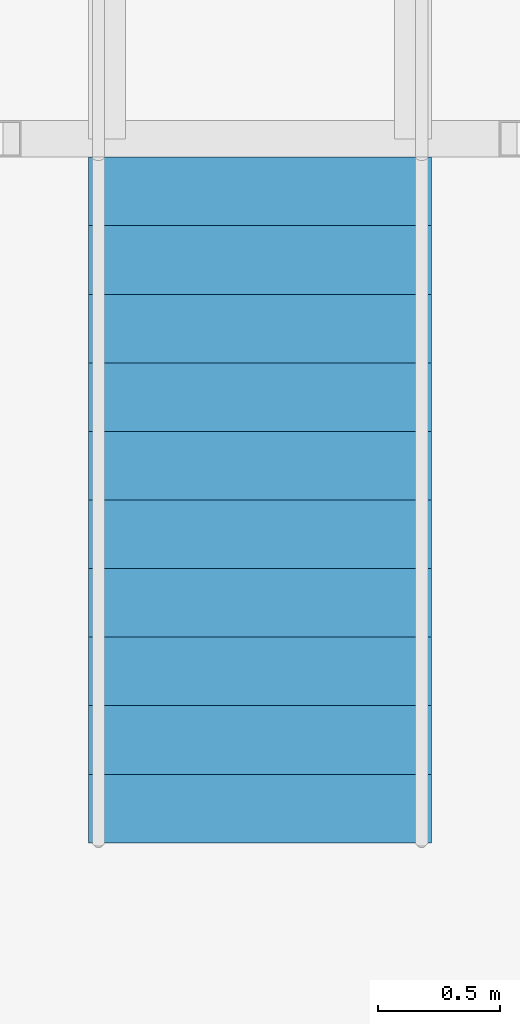
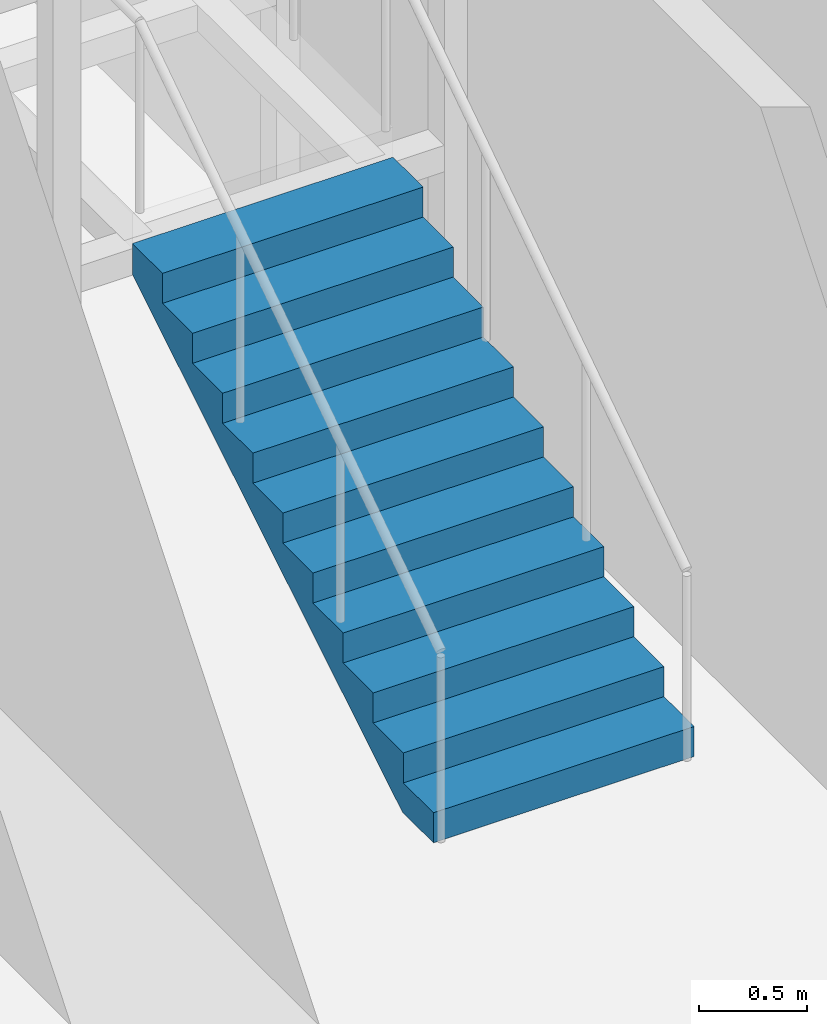
# One storey, part 25 of 29: 1 stair flight, 1 element without a shape of its own.
"""IFC4 building model written with IfcOpenShell, lengths in metres."""

from ifc_helpers import new_model, si_unit, direction, frame, origin, place, context, subcontext, project, spatial, triangles, material, type_object, element, aggregate, save


model = new_model("IFC4")

# Units and contexts
model_context = context("Model", 3, precision=1e-05, world=origin(), true_north=direction((0.0, 1.0)))
body_context = subcontext(model_context, "Body", "Model", "MODEL_VIEW")
ifc_project = project(units=[si_unit("LENGTHUNIT", "METRE"), si_unit("AREAUNIT", "SQUARE_METRE"), si_unit("VOLUMEUNIT", "CUBIC_METRE"), si_unit("PLANEANGLEUNIT", "RADIAN"), si_unit("MASSUNIT", "GRAM", prefix="KILO")], contexts=[model_context])

# Site, building, storey
site_placement = place(None, origin())
site = spatial("IfcSite", under=ifc_project, at=site_placement, CompositionType="ELEMENT")
building_placement = place(site_placement, origin())
building = spatial("IfcBuilding", under=site, at=building_placement, Name="Orbita Commons", CompositionType="ELEMENT")
storey_placement = place(building_placement, frame((0.0, 0.0, 148.60009765625)))
storey = spatial("IfcBuildingStorey", under=building, at=storey_placement, Name="L36", CompositionType="ELEMENT", Elevation=148.60009765625)

# Stair, stair flight
ifc_material_1 = material(Name="Steel ASTM A992 stringers, precast concrete C40/50 terrazzo treads", Category="concrete")
stair_type = type_object("IfcStairType", Name="Feature stair 22 risers 170 x 280 x 1400", PredefinedType="STRAIGHT_RUN_STAIR", material=ifc_material_1)
stair_placement = place(storey_placement, origin())
stair = element("IfcStair", 1, at=stair_placement, inside=storey, type_object=stair_type, Name="Neighbourhood stair L36 to L37", PredefinedType="STRAIGHT_RUN_STAIR")
ifc_material_2 = material(Name="Steel ASTM A992 stringers, precast concrete C40/50 terrazzo treads", Category="concrete")
stair_flight_type = type_object("IfcStairFlightType", Name="Feature stair flight 11 risers 170 x 1400", PredefinedType="STRAIGHT", material=ifc_material_2)
stair_flight_placement = place(storey_placement, frame((14.39990234375, 37.800048828125, 0.0), z_axis=(0.0, 0.0, 1.0), x_axis=(0.0, 1.0, 0.0)))
stair_flight = element("IfcStairFlight", 2, at=stair_flight_placement, type_object=stair_flight_type, Name="FS flight 1", NumberOfRisers=11, NumberOfTreads=10, PredefinedType="STRAIGHT", RiserHeight=0.170454545, TreadLength=0.28, context=body_context, shape_type="Tessellation", body=[
    triangles([(0.0, 0.699951, 0.0), (0.0, 0.699951, 0.021307), (0.0, 0.583293, 0.021307), (0.0, 0.583293, 0.0), (0.0, 0.466634, 0.021307), (0.0, 0.466634, 0.0), (0.0, 0.349976, 0.021307), (0.0, 0.349976, 0.0), (0.0, 0.233317, 0.021307), (0.0, 0.233317, 0.0), (0.0, 0.116659, 0.021307), (0.0, 0.116659, 0.0), (0.0, 0.0, 0.021307), (0.0, 0.0, 0.0), (0.0, -0.116659, 0.021307), (0.0, -0.116659, 0.0), (0.0, -0.233317, 0.021307), (0.0, -0.233317, 0.0), (0.0, -0.349976, 0.021307), (0.0, -0.349976, 0.0), (0.0, -0.466634, 0.021307), (0.0, -0.466634, 0.0), (0.0, -0.583293, 0.021307), (0.0, -0.583293, 0.0), (0.0, -0.699951, 0.021307), (0.0, -0.699951, 0.0), (0.0, 0.699951, 0.042614), (0.0, 0.583293, 0.042614), (0.0, 0.466634, 0.042614), (0.0, 0.349976, 0.042614), (0.0, 0.233317, 0.042614), (0.0, 0.116659, 0.042614), (0.0, 0.0, 0.042614), (0.0, -0.116659, 0.042614), (0.0, -0.233317, 0.042614), (0.0, -0.349976, 0.042614), (0.0, -0.466634, 0.042614), (0.0, -0.583293, 0.042614), (0.0, -0.699951, 0.042614), (0.0, 0.699951, 0.06392), (0.0, 0.583293, 0.06392), (0.0, 0.466634, 0.06392), (0.0, 0.349976, 0.06392), (0.0, 0.233317, 0.06392), (0.0, 0.116659, 0.06392), (0.0, 0.0, 0.06392), (0.0, -0.116659, 0.06392), (0.0, -0.233317, 0.06392), (0.0, -0.349976, 0.06392), (0.0, -0.466634, 0.06392), (0.0, -0.583293, 0.06392), (0.0, -0.699951, 0.06392), (0.0, 0.699951, 0.085227), (0.0, 0.583293, 0.085227), (0.0, 0.466634, 0.085227), (0.0, 0.349976, 0.085227), (0.0, 0.233317, 0.085227), (0.0, 0.116659, 0.085227), (0.0, 0.0, 0.085227), (0.0, -0.116659, 0.085227), (0.0, -0.233317, 0.085227), (0.0, -0.349976, 0.085227), (0.0, -0.466634, 0.085227), (0.0, -0.583293, 0.085227), (0.0, -0.699951, 0.085227), (0.0, 0.699951, 0.106534), (0.0, 0.583293, 0.106534), (0.0, 0.466634, 0.106534), (0.0, 0.349976, 0.106534), (0.0, 0.233317, 0.106534), (0.0, 0.116659, 0.106534), (0.0, 0.0, 0.106534), (0.0, -0.116659, 0.106534), (0.0, -0.233317, 0.106534), (0.0, -0.349976, 0.106534), (0.0, -0.466634, 0.106534), (0.0, -0.583293, 0.106534), (0.0, -0.699951, 0.106534), (0.0, 0.699951, 0.127841), (0.0, 0.583293, 0.127841), (0.0, 0.466634, 0.127841), (0.0, 0.349976, 0.127841), (0.0, 0.233317, 0.127841), (0.0, 0.116659, 0.127841), (0.0, 0.0, 0.127841), (0.0, -0.116659, 0.127841), (0.0, -0.233317, 0.127841), (0.0, -0.349976, 0.127841), (0.0, -0.466634, 0.127841), (0.0, -0.583293, 0.127841), (0.0, -0.699951, 0.127841), (0.0, 0.699951, 0.149148), (0.0, 0.583293, 0.149148), (0.0, 0.466634, 0.149148), (0.0, 0.349976, 0.149148), (0.0, 0.233317, 0.149148), (0.0, 0.116659, 0.149148), (0.0, 0.0, 0.149148), (0.0, -0.116659, 0.149148), (0.0, -0.233317, 0.149148), (0.0, -0.349976, 0.149148), (0.0, -0.466634, 0.149148), (0.0, -0.583293, 0.149148), (0.0, -0.699951, 0.149148), (0.0, 0.699951, 0.170455), (0.0, 0.583293, 0.170455), (0.0, 0.466634, 0.170455), (0.0, 0.349976, 0.170455), (0.0, 0.233317, 0.170455), (0.0, 0.116659, 0.170455), (0.0, 0.0, 0.170455), (0.0, -0.116659, 0.170455), (0.0, -0.233317, 0.170455), (0.0, -0.349976, 0.170455), (0.0, -0.466634, 0.170455), (0.0, -0.583293, 0.170455), (0.0, -0.699951, 0.170455), (0.28, 0.699951, 0.170455), (0.28, 0.583293, 0.170455), (0.28, 0.466634, 0.170455), (0.28, 0.349976, 0.170455), (0.28, 0.233317, 0.170455), (0.28, 0.116659, 0.170455), (0.28, 0.0, 0.170455), (0.28, -0.116659, 0.170455), (0.28, -0.233317, 0.170455), (0.28, -0.349976, 0.170455), (0.28, -0.466634, 0.170455), (0.28, -0.583293, 0.170455), (0.28, -0.699951, 0.170455), (0.28, 0.699951, 0.340909), (0.28, 0.583293, 0.340909), (0.28, 0.466634, 0.340909), (0.28, 0.349976, 0.340909), (0.28, 0.233317, 0.340909), (0.28, 0.116659, 0.340909), (0.28, 0.0, 0.340909), (0.28, -0.116659, 0.340909), (0.28, -0.233317, 0.340909), (0.28, -0.349976, 0.340909), (0.28, -0.466634, 0.340909), (0.28, -0.583293, 0.340909), (0.28, -0.699951, 0.340909), (0.56, 0.699951, 0.340909), (0.56, 0.583293, 0.340909), (0.56, 0.466634, 0.340909), (0.56, 0.349976, 0.340909), (0.56, 0.233317, 0.340909), (0.56, 0.116659, 0.340909), (0.56, 0.0, 0.340909), (0.56, -0.116659, 0.340909), (0.56, -0.233317, 0.340909), (0.56, -0.349976, 0.340909), (0.56, -0.466634, 0.340909), (0.56, -0.583293, 0.340909), (0.56, -0.699951, 0.340909), (0.56, 0.699951, 0.511364), (0.56, 0.583293, 0.511364), (0.56, 0.466634, 0.511364), (0.56, 0.349976, 0.511364), (0.56, 0.233317, 0.511364), (0.56, 0.116659, 0.511364), (0.56, 0.0, 0.511364), (0.56, -0.116659, 0.511364), (0.56, -0.233317, 0.511364), (0.56, -0.349976, 0.511364), (0.56, -0.466634, 0.511364), (0.56, -0.583293, 0.511364), (0.56, -0.699951, 0.511364), (0.84, 0.699951, 0.511364), (0.84, 0.583293, 0.511364), (0.84, 0.466634, 0.511364), (0.84, 0.349976, 0.511364), (0.84, 0.233317, 0.511364), (0.84, 0.116659, 0.511364), (0.84, 0.0, 0.511364), (0.84, -0.116659, 0.511364), (0.84, -0.233317, 0.511364), (0.84, -0.349976, 0.511364), (0.84, -0.466634, 0.511364), (0.84, -0.583293, 0.511364), (0.84, -0.699951, 0.511364), (0.84, 0.699951, 0.681818), (0.84, 0.583293, 0.681818), (0.84, 0.466634, 0.681818), (0.84, 0.349976, 0.681818), (0.84, 0.233317, 0.681818), (0.84, 0.116659, 0.681818), (0.84, 0.0, 0.681818), (0.84, -0.116659, 0.681818), (0.84, -0.233317, 0.681818), (0.84, -0.349976, 0.681818), (0.84, -0.466634, 0.681818), (0.84, -0.583293, 0.681818), (0.84, -0.699951, 0.681818), (1.12, 0.699951, 0.681818), (1.12, 0.583293, 0.681818), (1.12, 0.466634, 0.681818), (1.12, 0.349976, 0.681818), (1.12, 0.233317, 0.681818), (1.12, 0.116659, 0.681818), (1.12, 0.0, 0.681818), (1.12, -0.116659, 0.681818), (1.12, -0.233317, 0.681818), (1.12, -0.349976, 0.681818), (1.12, -0.466634, 0.681818), (1.12, -0.583293, 0.681818), (1.12, -0.699951, 0.681818), (1.12, 0.699951, 0.852273), (1.12, 0.583293, 0.852273), (1.12, 0.466634, 0.852273), (1.12, 0.349976, 0.852273), (1.12, 0.233317, 0.852273), (1.12, 0.116659, 0.852273), (1.12, 0.0, 0.852273), (1.12, -0.116659, 0.852273), (1.12, -0.233317, 0.852273), (1.12, -0.349976, 0.852273), (1.12, -0.466634, 0.852273), (1.12, -0.583293, 0.852273), (1.12, -0.699951, 0.852273), (1.4, 0.699951, 0.852273), (1.4, 0.583293, 0.852273), (1.4, 0.466634, 0.852273), (1.4, 0.349976, 0.852273), (1.4, 0.233317, 0.852273), (1.4, 0.116659, 0.852273), (1.4, 0.0, 0.852273), (1.4, -0.116659, 0.852273), (1.4, -0.233317, 0.852273), (1.4, -0.349976, 0.852273), (1.4, -0.466634, 0.852273), (1.4, -0.583293, 0.852273), (1.4, -0.699951, 0.852273), (1.4, 0.699951, 1.022727), (1.4, 0.583293, 1.022727), (1.4, 0.466634, 1.022727), (1.4, 0.349976, 1.022727), (1.4, 0.233317, 1.022727), (1.4, 0.116659, 1.022727), (1.4, 0.0, 1.022727), (1.4, -0.116659, 1.022727), (1.4, -0.233317, 1.022727), (1.4, -0.349976, 1.022727), (1.4, -0.466634, 1.022727), (1.4, -0.583293, 1.022727), (1.4, -0.699951, 1.022727), (1.68, 0.699951, 1.022727), (1.68, 0.583293, 1.022727), (1.68, 0.466634, 1.022727), (1.68, 0.349976, 1.022727), (1.68, 0.233317, 1.022727), (1.68, 0.116659, 1.022727), (1.68, 0.0, 1.022727), (1.68, -0.116659, 1.022727), (1.68, -0.233317, 1.022727), (1.68, -0.349976, 1.022727), (1.68, -0.466634, 1.022727), (1.68, -0.583293, 1.022727), (1.68, -0.699951, 1.022727), (1.68, 0.699951, 1.193182), (1.68, 0.583293, 1.193182), (1.68, 0.466634, 1.193182), (1.68, 0.349976, 1.193182), (1.68, 0.233317, 1.193182), (1.68, 0.116659, 1.193182), (1.68, 0.0, 1.193182), (1.68, -0.116659, 1.193182), (1.68, -0.233317, 1.193182), (1.68, -0.349976, 1.193182), (1.68, -0.466634, 1.193182), (1.68, -0.583293, 1.193182), (1.68, -0.699951, 1.193182), (1.96, 0.699951, 1.193182), (1.96, 0.583293, 1.193182), (1.96, 0.466634, 1.193182), (1.96, 0.349976, 1.193182), (1.96, 0.233317, 1.193182), (1.96, 0.116659, 1.193182), (1.96, 0.0, 1.193182), (1.96, -0.116659, 1.193182), (1.96, -0.233317, 1.193182), (1.96, -0.349976, 1.193182), (1.96, -0.466634, 1.193182), (1.96, -0.583293, 1.193182), (1.96, -0.699951, 1.193182), (1.96, 0.699951, 1.363636), (1.96, 0.583293, 1.363636), (1.96, 0.466634, 1.363636), (1.96, 0.349976, 1.363636), (1.96, 0.233317, 1.363636), (1.96, 0.116659, 1.363636), (1.96, 0.0, 1.363636), (1.96, -0.116659, 1.363636), (1.96, -0.233317, 1.363636), (1.96, -0.349976, 1.363636), (1.96, -0.466634, 1.363636), (1.96, -0.583293, 1.363636), (1.96, -0.699951, 1.363636), (2.24, 0.699951, 1.363636), (2.24, 0.583293, 1.363636), (2.24, 0.466634, 1.363636), (2.24, 0.349976, 1.363636), (2.24, 0.233317, 1.363636), (2.24, 0.116659, 1.363636), (2.24, 0.0, 1.363636), (2.24, -0.116659, 1.363636), (2.24, -0.233317, 1.363636), (2.24, -0.349976, 1.363636), (2.24, -0.466634, 1.363636), (2.24, -0.583293, 1.363636), (2.24, -0.699951, 1.363636), (2.24, 0.699951, 1.534091), (2.24, 0.583293, 1.534091), (2.24, 0.466634, 1.534091), (2.24, 0.349976, 1.534091), (2.24, 0.233317, 1.534091), (2.24, 0.116659, 1.534091), (2.24, 0.0, 1.534091), (2.24, -0.116659, 1.534091), (2.24, -0.233317, 1.534091), (2.24, -0.349976, 1.534091), (2.24, -0.466634, 1.534091), (2.24, -0.583293, 1.534091), (2.24, -0.699951, 1.534091), (2.52, 0.699951, 1.534091), (2.52, 0.583293, 1.534091), (2.52, 0.466634, 1.534091), (2.52, 0.349976, 1.534091), (2.52, 0.233317, 1.534091), (2.52, 0.116659, 1.534091), (2.52, 0.0, 1.534091), (2.52, -0.116659, 1.534091), (2.52, -0.233317, 1.534091), (2.52, -0.349976, 1.534091), (2.52, -0.466634, 1.534091), (2.52, -0.583293, 1.534091), (2.52, -0.699951, 1.534091), (2.52, 0.699951, 1.704545), (2.52, 0.583293, 1.704545), (2.52, 0.466634, 1.704545), (2.52, 0.349976, 1.704545), (2.52, 0.233317, 1.704545), (2.52, 0.116659, 1.704545), (2.52, 0.0, 1.704545), (2.52, -0.116659, 1.704545), (2.52, -0.233317, 1.704545), (2.52, -0.349976, 1.704545), (2.52, -0.466634, 1.704545), (2.52, -0.583293, 1.704545), (2.52, -0.699951, 1.704545), (2.8, 0.699951, 1.704545), (2.8, 0.583293, 1.704545), (2.8, 0.466634, 1.704545), (2.8, 0.349976, 1.704545), (2.8, 0.233317, 1.704545), (2.8, 0.116659, 1.704545), (2.8, 0.0, 1.704545), (2.8, -0.116659, 1.704545), (2.8, -0.233317, 1.704545), (2.8, -0.349976, 1.704545), (2.8, -0.466634, 1.704545), (2.8, -0.583293, 1.704545), (2.8, -0.699951, 1.704545), (2.8, 0.699951, 1.682609), (2.8, 0.583293, 1.682609), (2.8, 0.466634, 1.682609), (2.8, 0.349976, 1.682609), (2.8, 0.233317, 1.682609), (2.8, 0.116659, 1.682609), (2.8, 0.0, 1.682609), (2.8, -0.116659, 1.682609), (2.8, -0.233317, 1.682609), (2.8, -0.349976, 1.682609), (2.8, -0.466634, 1.682609), (2.8, -0.583293, 1.682609), (2.8, -0.699951, 1.682609), (2.8, 0.699951, 1.660672), (2.8, 0.583293, 1.660672), (2.8, 0.466634, 1.660672), (2.8, 0.349976, 1.660672), (2.8, 0.233317, 1.660672), (2.8, 0.116659, 1.660672), (2.8, 0.0, 1.660672), (2.8, -0.116659, 1.660672), (2.8, -0.233317, 1.660672), (2.8, -0.349976, 1.660672), (2.8, -0.466634, 1.660672), (2.8, -0.583293, 1.660672), (2.8, -0.699951, 1.660672), (2.8, 0.699951, 1.638735), (2.8, 0.583293, 1.638735), (2.8, 0.466634, 1.638735), (2.8, 0.349976, 1.638735), (2.8, 0.233317, 1.638735), (2.8, 0.116659, 1.638735), (2.8, 0.0, 1.638735), (2.8, -0.116659, 1.638735), (2.8, -0.233317, 1.638735), (2.8, -0.349976, 1.638735), (2.8, -0.466634, 1.638735), (2.8, -0.583293, 1.638735), (2.8, -0.699951, 1.638735), (2.8, 0.699951, 1.616798), (2.8, 0.583293, 1.616798), (2.8, 0.466634, 1.616798), (2.8, 0.349976, 1.616798), (2.8, 0.233317, 1.616798), (2.8, 0.116659, 1.616798), (2.8, 0.0, 1.616798), (2.8, -0.116659, 1.616798), (2.8, -0.233317, 1.616798), (2.8, -0.349976, 1.616798), (2.8, -0.466634, 1.616798), (2.8, -0.583293, 1.616798), (2.8, -0.699951, 1.616798), (2.8, 0.699951, 1.594861), (2.8, 0.583293, 1.594861), (2.8, 0.466634, 1.594861), (2.8, 0.349976, 1.594861), (2.8, 0.233317, 1.594861), (2.8, 0.116659, 1.594861), (2.8, 0.0, 1.594861), (2.8, -0.116659, 1.594861), (2.8, -0.233317, 1.594861), (2.8, -0.349976, 1.594861), (2.8, -0.466634, 1.594861), (2.8, -0.583293, 1.594861), (2.8, -0.699951, 1.594861), (2.8, 0.699951, 1.572925), (2.8, 0.583293, 1.572925), (2.8, 0.466634, 1.572925), (2.8, 0.349976, 1.572925), (2.8, 0.233317, 1.572925), (2.8, 0.116659, 1.572925), (2.8, 0.0, 1.572925), (2.8, -0.116659, 1.572925), (2.8, -0.233317, 1.572925), (2.8, -0.349976, 1.572925), (2.8, -0.466634, 1.572925), (2.8, -0.583293, 1.572925), (2.8, -0.699951, 1.572925), (2.8, 0.699951, 1.550988), (2.8, 0.583293, 1.550988), (2.8, 0.466634, 1.550988), (2.8, 0.349976, 1.550988), (2.8, 0.233317, 1.550988), (2.8, 0.116659, 1.550988), (2.8, 0.0, 1.550988), (2.8, -0.116659, 1.550988), (2.8, -0.233317, 1.550988), (2.8, -0.349976, 1.550988), (2.8, -0.466634, 1.550988), (2.8, -0.583293, 1.550988), (2.8, -0.699951, 1.550988), (2.8, 0.699951, 1.529051), (2.8, 0.583293, 1.529051), (2.8, 0.466634, 1.529051), (2.8, 0.349976, 1.529051), (2.8, 0.233317, 1.529051), (2.8, 0.116659, 1.529051), (2.8, 0.0, 1.529051), (2.8, -0.116659, 1.529051), (2.8, -0.233317, 1.529051), (2.8, -0.349976, 1.529051), (2.8, -0.466634, 1.529051), (2.8, -0.583293, 1.529051), (2.8, -0.699951, 1.529051), (0.288279, 0.699951, 0.0), (0.288279, 0.583293, 0.0), (0.288279, 0.466634, 0.0), (0.288279, 0.349976, 0.0), (0.288279, 0.233317, 0.0), (0.288279, 0.116659, 0.0), (0.288279, 0.0, 0.0), (0.288279, -0.116659, 0.0), (0.288279, -0.233317, 0.0), (0.288279, -0.349976, 0.0), (0.288279, -0.466634, 0.0), (0.288279, -0.583293, 0.0), (0.288279, -0.699951, 0.0)], [[3, 2, 1], [4, 3, 1], [5, 3, 4], [6, 5, 4], [7, 5, 6], [8, 7, 6], [9, 7, 8], [10, 9, 8], [11, 9, 10], [12, 11, 10], [13, 11, 12], [14, 13, 12], [15, 13, 14], [16, 15, 14], [17, 15, 16], [18, 17, 16], [19, 17, 18], [20, 19, 18], [21, 19, 20], [22, 21, 20], [23, 21, 22], [24, 23, 22], [25, 23, 24], [26, 25, 24], [28, 27, 2], [3, 28, 2], [29, 28, 3], [5, 29, 3], [30, 29, 5], [7, 30, 5], [31, 30, 7], [9, 31, 7], [32, 31, 9], [11, 32, 9], [33, 32, 11], [13, 33, 11], [34, 33, 13], [15, 34, 13], [35, 34, 15], [17, 35, 15], [36, 35, 17], [19, 36, 17], [37, 36, 19], [21, 37, 19], [38, 37, 21], [23, 38, 21], [39, 38, 23], [25, 39, 23], [41, 40, 27], [28, 41, 27], [42, 41, 28], [29, 42, 28], [43, 42, 29], [30, 43, 29], [44, 43, 30], [31, 44, 30], [45, 44, 31], [32, 45, 31], [46, 45, 32], [33, 46, 32], [47, 46, 33], [34, 47, 33], [48, 47, 34], [35, 48, 34], [49, 48, 35], [36, 49, 35], [50, 49, 36], [37, 50, 36], [51, 50, 37], [38, 51, 37], [52, 51, 38], [39, 52, 38], [54, 53, 40], [41, 54, 40], [55, 54, 41], [42, 55, 41], [56, 55, 42], [43, 56, 42], [57, 56, 43], [44, 57, 43], [58, 57, 44], [45, 58, 44], [59, 58, 45], [46, 59, 45], [60, 59, 46], [47, 60, 46], [61, 60, 47], [48, 61, 47], [62, 61, 48], [49, 62, 48], [63, 62, 49], [50, 63, 49], [64, 63, 50], [51, 64, 50], [65, 64, 51], [52, 65, 51], [67, 66, 53], [54, 67, 53], [68, 67, 54], [55, 68, 54], [69, 68, 55], [56, 69, 55], [70, 69, 56], [57, 70, 56], [71, 70, 57], [58, 71, 57], [72, 71, 58], [59, 72, 58], [73, 72, 59], [60, 73, 59], [74, 73, 60], [61, 74, 60], [75, 74, 61], [62, 75, 61], [76, 75, 62], [63, 76, 62], [77, 76, 63], [64, 77, 63], [78, 77, 64], [65, 78, 64], [80, 79, 66], [67, 80, 66], [81, 80, 67], [68, 81, 67], [82, 81, 68], [69, 82, 68], [83, 82, 69], [70, 83, 69], [84, 83, 70], [71, 84, 70], [85, 84, 71], [72, 85, 71], [86, 85, 72], [73, 86, 72], [87, 86, 73], [74, 87, 73], [88, 87, 74], [75, 88, 74], [89, 88, 75], [76, 89, 75], [90, 89, 76], [77, 90, 76], [91, 90, 77], [78, 91, 77], [93, 92, 79], [80, 93, 79], [94, 93, 80], [81, 94, 80], [95, 94, 81], [82, 95, 81], [96, 95, 82], [83, 96, 82], [97, 96, 83], [84, 97, 83], [98, 97, 84], [85, 98, 84], [99, 98, 85], [86, 99, 85], [100, 99, 86], [87, 100, 86], [101, 100, 87], [88, 101, 87], [102, 101, 88], [89, 102, 88], [103, 102, 89], [90, 103, 89], [104, 103, 90], [91, 104, 90], [106, 105, 92], [93, 106, 92], [107, 106, 93], [94, 107, 93], [108, 107, 94], [95, 108, 94], [109, 108, 95], [96, 109, 95], [110, 109, 96], [97, 110, 96], [111, 110, 97], [98, 111, 97], [112, 111, 98], [99, 112, 98], [113, 112, 99], [100, 113, 99], [114, 113, 100], [101, 114, 100], [115, 114, 101], [102, 115, 101], [116, 115, 102], [103, 116, 102], [117, 116, 103], [104, 117, 103], [119, 118, 105], [106, 119, 105], [120, 119, 106], [107, 120, 106], [121, 120, 107], [108, 121, 107], [122, 121, 108], [109, 122, 108], [123, 122, 109], [110, 123, 109], [124, 123, 110], [111, 124, 110], [125, 124, 111], [112, 125, 111], [126, 125, 112], [113, 126, 112], [127, 126, 113], [114, 127, 113], [128, 127, 114], [115, 128, 114], [129, 128, 115], [116, 129, 115], [130, 129, 116], [117, 130, 116], [132, 131, 118], [119, 132, 118], [133, 132, 119], [120, 133, 119], [134, 133, 120], [121, 134, 120], [135, 134, 121], [122, 135, 121], [136, 135, 122], [123, 136, 122], [137, 136, 123], [124, 137, 123], [138, 137, 124], [125, 138, 124], [139, 138, 125], [126, 139, 125], [140, 139, 126], [127, 140, 126], [141, 140, 127], [128, 141, 127], [142, 141, 128], [129, 142, 128], [143, 142, 129], [130, 143, 129], [145, 144, 131], [132, 145, 131], [146, 145, 132], [133, 146, 132], [147, 146, 133], [134, 147, 133], [148, 147, 134], [135, 148, 134], [149, 148, 135], [136, 149, 135], [150, 149, 136], [137, 150, 136], [151, 150, 137], [138, 151, 137], [152, 151, 138], [139, 152, 138], [153, 152, 139], [140, 153, 139], [154, 153, 140], [141, 154, 140], [155, 154, 141], [142, 155, 141], [156, 155, 142], [143, 156, 142], [158, 157, 144], [145, 158, 144], [159, 158, 145], [146, 159, 145], [160, 159, 146], [147, 160, 146], [161, 160, 147], [148, 161, 147], [162, 161, 148], [149, 162, 148], [163, 162, 149], [150, 163, 149], [164, 163, 150], [151, 164, 150], [165, 164, 151], [152, 165, 151], [166, 165, 152], [153, 166, 152], [167, 166, 153], [154, 167, 153], [168, 167, 154], [155, 168, 154], [169, 168, 155], [156, 169, 155], [171, 170, 157], [158, 171, 157], [172, 171, 158], [159, 172, 158], [173, 172, 159], [160, 173, 159], [174, 173, 160], [161, 174, 160], [175, 174, 161], [162, 175, 161], [176, 175, 162], [163, 176, 162], [177, 176, 163], [164, 177, 163], [178, 177, 164], [165, 178, 164], [179, 178, 165], [166, 179, 165], [180, 179, 166], [167, 180, 166], [181, 180, 167], [168, 181, 167], [182, 181, 168], [169, 182, 168], [184, 183, 170], [171, 184, 170], [185, 184, 171], [172, 185, 171], [186, 185, 172], [173, 186, 172], [187, 186, 173], [174, 187, 173], [188, 187, 174], [175, 188, 174], [189, 188, 175], [176, 189, 175], [190, 189, 176], [177, 190, 176], [191, 190, 177], [178, 191, 177], [192, 191, 178], [179, 192, 178], [193, 192, 179], [180, 193, 179], [194, 193, 180], [181, 194, 180], [195, 194, 181], [182, 195, 181], [197, 196, 183], [184, 197, 183], [198, 197, 184], [185, 198, 184], [199, 198, 185], [186, 199, 185], [200, 199, 186], [187, 200, 186], [201, 200, 187], [188, 201, 187], [202, 201, 188], [189, 202, 188], [203, 202, 189], [190, 203, 189], [204, 203, 190], [191, 204, 190], [205, 204, 191], [192, 205, 191], [206, 205, 192], [193, 206, 192], [207, 206, 193], [194, 207, 193], [208, 207, 194], [195, 208, 194], [210, 209, 196], [197, 210, 196], [211, 210, 197], [198, 211, 197], [212, 211, 198], [199, 212, 198], [213, 212, 199], [200, 213, 199], [214, 213, 200], [201, 214, 200], [215, 214, 201], [202, 215, 201], [216, 215, 202], [203, 216, 202], [217, 216, 203], [204, 217, 203], [218, 217, 204], [205, 218, 204], [219, 218, 205], [206, 219, 205], [220, 219, 206], [207, 220, 206], [221, 220, 207], [208, 221, 207], [223, 222, 209], [210, 223, 209], [224, 223, 210], [211, 224, 210], [225, 224, 211], [212, 225, 211], [226, 225, 212], [213, 226, 212], [227, 226, 213], [214, 227, 213], [228, 227, 214], [215, 228, 214], [229, 228, 215], [216, 229, 215], [230, 229, 216], [217, 230, 216], [231, 230, 217], [218, 231, 217], [232, 231, 218], [219, 232, 218], [233, 232, 219], [220, 233, 219], [234, 233, 220], [221, 234, 220], [236, 235, 222], [223, 236, 222], [237, 236, 223], [224, 237, 223], [238, 237, 224], [225, 238, 224], [239, 238, 225], [226, 239, 225], [240, 239, 226], [227, 240, 226], [241, 240, 227], [228, 241, 227], [242, 241, 228], [229, 242, 228], [243, 242, 229], [230, 243, 229], [244, 243, 230], [231, 244, 230], [245, 244, 231], [232, 245, 231], [246, 245, 232], [233, 246, 232], [247, 246, 233], [234, 247, 233], [249, 248, 235], [236, 249, 235], [250, 249, 236], [237, 250, 236], [251, 250, 237], [238, 251, 237], [252, 251, 238], [239, 252, 238], [253, 252, 239], [240, 253, 239], [254, 253, 240], [241, 254, 240], [255, 254, 241], [242, 255, 241], [256, 255, 242], [243, 256, 242], [257, 256, 243], [244, 257, 243], [258, 257, 244], [245, 258, 244], [259, 258, 245], [246, 259, 245], [260, 259, 246], [247, 260, 246], [262, 261, 248], [249, 262, 248], [263, 262, 249], [250, 263, 249], [264, 263, 250], [251, 264, 250], [265, 264, 251], [252, 265, 251], [266, 265, 252], [253, 266, 252], [267, 266, 253], [254, 267, 253], [268, 267, 254], [255, 268, 254], [269, 268, 255], [256, 269, 255], [270, 269, 256], [257, 270, 256], [271, 270, 257], [258, 271, 257], [272, 271, 258], [259, 272, 258], [273, 272, 259], [260, 273, 259], [275, 274, 261], [262, 275, 261], [276, 275, 262], [263, 276, 262], [277, 276, 263], [264, 277, 263], [278, 277, 264], [265, 278, 264], [279, 278, 265], [266, 279, 265], [280, 279, 266], [267, 280, 266], [281, 280, 267], [268, 281, 267], [282, 281, 268], [269, 282, 268], [283, 282, 269], [270, 283, 269], [284, 283, 270], [271, 284, 270], [285, 284, 271], [272, 285, 271], [286, 285, 272], [273, 286, 272], [288, 287, 274], [275, 288, 274], [289, 288, 275], [276, 289, 275], [290, 289, 276], [277, 290, 276], [291, 290, 277], [278, 291, 277], [292, 291, 278], [279, 292, 278], [293, 292, 279], [280, 293, 279], [294, 293, 280], [281, 294, 280], [295, 294, 281], [282, 295, 281], [296, 295, 282], [283, 296, 282], [297, 296, 283], [284, 297, 283], [298, 297, 284], [285, 298, 284], [299, 298, 285], [286, 299, 285], [301, 300, 287], [288, 301, 287], [302, 301, 288], [289, 302, 288], [303, 302, 289], [290, 303, 289], [304, 303, 290], [291, 304, 290], [305, 304, 291], [292, 305, 291], [306, 305, 292], [293, 306, 292], [307, 306, 293], [294, 307, 293], [308, 307, 294], [295, 308, 294], [309, 308, 295], [296, 309, 295], [310, 309, 296], [297, 310, 296], [311, 310, 297], [298, 311, 297], [312, 311, 298], [299, 312, 298], [314, 313, 300], [301, 314, 300], [315, 314, 301], [302, 315, 301], [316, 315, 302], [303, 316, 302], [317, 316, 303], [304, 317, 303], [318, 317, 304], [305, 318, 304], [319, 318, 305], [306, 319, 305], [320, 319, 306], [307, 320, 306], [321, 320, 307], [308, 321, 307], [322, 321, 308], [309, 322, 308], [323, 322, 309], [310, 323, 309], [324, 323, 310], [311, 324, 310], [325, 324, 311], [312, 325, 311], [327, 326, 313], [314, 327, 313], [328, 327, 314], [315, 328, 314], [329, 328, 315], [316, 329, 315], [330, 329, 316], [317, 330, 316], [331, 330, 317], [318, 331, 317], [332, 331, 318], [319, 332, 318], [333, 332, 319], [320, 333, 319], [334, 333, 320], [321, 334, 320], [335, 334, 321], [322, 335, 321], [336, 335, 322], [323, 336, 322], [337, 336, 323], [324, 337, 323], [338, 337, 324], [325, 338, 324], [340, 339, 326], [327, 340, 326], [341, 340, 327], [328, 341, 327], [342, 341, 328], [329, 342, 328], [343, 342, 329], [330, 343, 329], [344, 343, 330], [331, 344, 330], [345, 344, 331], [332, 345, 331], [346, 345, 332], [333, 346, 332], [347, 346, 333], [334, 347, 333], [348, 347, 334], [335, 348, 334], [349, 348, 335], [336, 349, 335], [350, 349, 336], [337, 350, 336], [351, 350, 337], [338, 351, 337], [353, 352, 339], [340, 353, 339], [354, 353, 340], [341, 354, 340], [355, 354, 341], [342, 355, 341], [356, 355, 342], [343, 356, 342], [357, 356, 343], [344, 357, 343], [358, 357, 344], [345, 358, 344], [359, 358, 345], [346, 359, 345], [360, 359, 346], [347, 360, 346], [361, 360, 347], [348, 361, 347], [362, 361, 348], [349, 362, 348], [363, 362, 349], [350, 363, 349], [364, 363, 350], [351, 364, 350], [366, 365, 352], [353, 366, 352], [367, 366, 353], [354, 367, 353], [368, 367, 354], [355, 368, 354], [369, 368, 355], [356, 369, 355], [370, 369, 356], [357, 370, 356], [371, 370, 357], [358, 371, 357], [372, 371, 358], [359, 372, 358], [373, 372, 359], [360, 373, 359], [374, 373, 360], [361, 374, 360], [375, 374, 361], [362, 375, 361], [376, 375, 362], [363, 376, 362], [377, 376, 363], [364, 377, 363], [379, 378, 365], [366, 379, 365], [380, 379, 366], [367, 380, 366], [381, 380, 367], [368, 381, 367], [382, 381, 368], [369, 382, 368], [383, 382, 369], [370, 383, 369], [384, 383, 370], [371, 384, 370], [385, 384, 371], [372, 385, 371], [386, 385, 372], [373, 386, 372], [387, 386, 373], [374, 387, 373], [388, 387, 374], [375, 388, 374], [389, 388, 375], [376, 389, 375], [390, 389, 376], [377, 390, 376], [392, 391, 378], [379, 392, 378], [393, 392, 379], [380, 393, 379], [394, 393, 380], [381, 394, 380], [395, 394, 381], [382, 395, 381], [396, 395, 382], [383, 396, 382], [397, 396, 383], [384, 397, 383], [398, 397, 384], [385, 398, 384], [399, 398, 385], [386, 399, 385], [400, 399, 386], [387, 400, 386], [401, 400, 387], [388, 401, 387], [402, 401, 388], [389, 402, 388], [403, 402, 389], [390, 403, 389], [405, 404, 391], [392, 405, 391], [406, 405, 392], [393, 406, 392], [407, 406, 393], [394, 407, 393], [408, 407, 394], [395, 408, 394], [409, 408, 395], [396, 409, 395], [410, 409, 396], [397, 410, 396], [411, 410, 397], [398, 411, 397], [412, 411, 398], [399, 412, 398], [413, 412, 399], [400, 413, 399], [414, 413, 400], [401, 414, 400], [415, 414, 401], [402, 415, 401], [416, 415, 402], [403, 416, 402], [418, 417, 404], [405, 418, 404], [419, 418, 405], [406, 419, 405], [420, 419, 406], [407, 420, 406], [421, 420, 407], [408, 421, 407], [422, 421, 408], [409, 422, 408], [423, 422, 409], [410, 423, 409], [424, 423, 410], [411, 424, 410], [425, 424, 411], [412, 425, 411], [426, 425, 412], [413, 426, 412], [427, 426, 413], [414, 427, 413], [428, 427, 414], [415, 428, 414], [429, 428, 415], [416, 429, 415], [431, 430, 417], [418, 431, 417], [432, 431, 418], [419, 432, 418], [433, 432, 419], [420, 433, 419], [434, 433, 420], [421, 434, 420], [435, 434, 421], [422, 435, 421], [436, 435, 422], [423, 436, 422], [437, 436, 423], [424, 437, 423], [438, 437, 424], [425, 438, 424], [439, 438, 425], [426, 439, 425], [440, 439, 426], [427, 440, 426], [441, 440, 427], [428, 441, 427], [442, 441, 428], [429, 442, 428], [444, 443, 430], [431, 444, 430], [445, 444, 431], [432, 445, 431], [446, 445, 432], [433, 446, 432], [447, 446, 433], [434, 447, 433], [448, 447, 434], [435, 448, 434], [449, 448, 435], [436, 449, 435], [450, 449, 436], [437, 450, 436], [451, 450, 437], [438, 451, 437], [452, 451, 438], [439, 452, 438], [453, 452, 439], [440, 453, 439], [454, 453, 440], [441, 454, 440], [455, 454, 441], [442, 455, 441], [457, 456, 443], [444, 457, 443], [458, 457, 444], [445, 458, 444], [459, 458, 445], [446, 459, 445], [460, 459, 446], [447, 460, 446], [461, 460, 447], [448, 461, 447], [462, 461, 448], [449, 462, 448], [463, 462, 449], [450, 463, 449], [464, 463, 450], [451, 464, 450], [465, 464, 451], [452, 465, 451], [466, 465, 452], [453, 466, 452], [467, 466, 453], [454, 467, 453], [468, 467, 454], [455, 468, 454], [470, 469, 456], [457, 470, 456], [471, 470, 457], [458, 471, 457], [472, 471, 458], [459, 472, 458], [473, 472, 459], [460, 473, 459], [474, 473, 460], [461, 474, 460], [475, 474, 461], [462, 475, 461], [476, 475, 462], [463, 476, 462], [477, 476, 463], [464, 477, 463], [478, 477, 464], [465, 478, 464], [479, 478, 465], [466, 479, 465], [480, 479, 466], [467, 480, 466], [481, 480, 467], [468, 481, 467], [4, 1, 469], [470, 4, 469], [6, 4, 470], [471, 6, 470], [8, 6, 471], [472, 8, 471], [10, 8, 472], [473, 10, 472], [12, 10, 473], [474, 12, 473], [14, 12, 474], [475, 14, 474], [16, 14, 475], [476, 16, 475], [18, 16, 476], [477, 18, 476], [20, 18, 477], [478, 20, 477], [22, 20, 478], [479, 22, 478], [24, 22, 479], [480, 24, 479], [26, 24, 480], [481, 26, 480], [456, 469, 1], [26, 481, 468], [443, 456, 1], [26, 468, 455], [430, 443, 1], [26, 455, 442], [417, 430, 1], [26, 442, 429], [404, 417, 1], [26, 429, 416], [391, 404, 1], [26, 416, 403], [378, 391, 1], [26, 403, 390], [365, 378, 1], [26, 390, 377], [339, 352, 365], [377, 364, 351], [326, 339, 365], [377, 351, 338], [300, 313, 326], [338, 325, 312], [300, 326, 365], [377, 338, 312], [274, 287, 300], [312, 299, 286], [274, 300, 365], [377, 312, 286], [248, 261, 274], [286, 273, 260], [248, 274, 365], [377, 286, 260], [222, 235, 248], [260, 247, 234], [222, 248, 365], [377, 260, 234], [196, 209, 222], [234, 221, 208], [196, 222, 365], [377, 234, 208], [170, 183, 196], [208, 195, 182], [170, 196, 365], [377, 208, 182], [144, 157, 170], [182, 169, 156], [144, 170, 365], [377, 182, 156], [118, 131, 144], [156, 143, 130], [118, 144, 365], [377, 156, 130], [118, 365, 1], [26, 377, 130], [92, 105, 118], [130, 117, 104], [79, 92, 118], [130, 104, 91], [66, 79, 118], [130, 91, 78], [53, 66, 118], [130, 78, 65], [40, 53, 118], [130, 65, 52], [27, 40, 118], [130, 52, 39], [2, 27, 118], [130, 39, 25], [1, 2, 118], [130, 25, 26]], closed=True),
])
aggregate(stair, [stair_flight])

save(model, "model.ifc")
